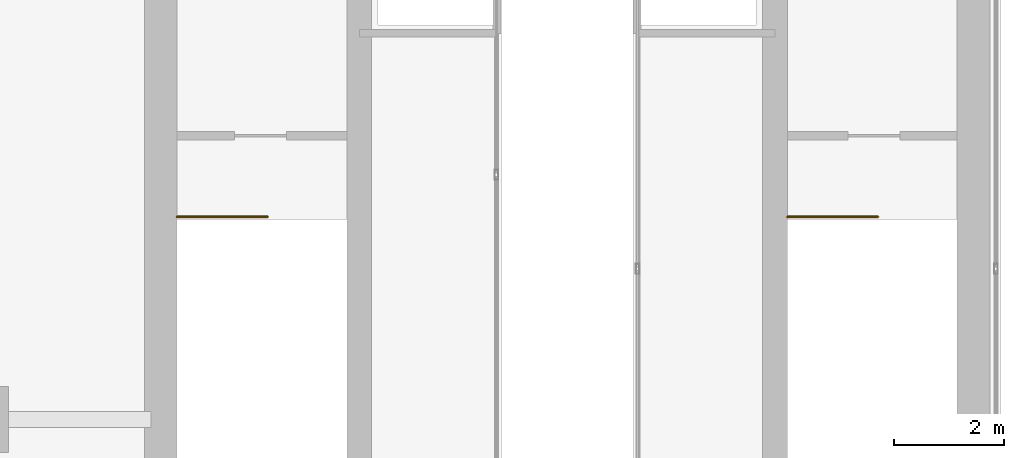
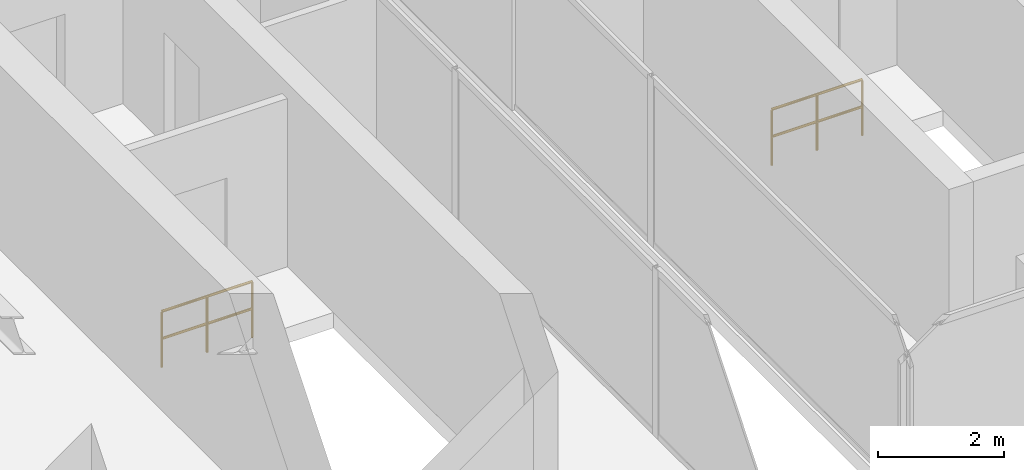
# One storey, part 16 of 16: 2 railings.
"""IFC4 building model written with IfcOpenShell, lengths in metres."""

from ifc_helpers import new_model, si_unit, direction, frame, origin, origin_2d, place, context, subcontext, project, spatial, circle, extrude, material, layer, layer_set, type_object, element, save


model = new_model("IFC4")

# Units and contexts
model_context = context("Model", 3, precision=1e-05, world=origin(), true_north=direction((0.0, 1.0)))
body_context = subcontext(model_context, "Body", "Model", "MODEL_VIEW")
ifc_project = project(units=[si_unit("LENGTHUNIT", "METRE"), si_unit("AREAUNIT", "SQUARE_METRE"), si_unit("VOLUMEUNIT", "CUBIC_METRE"), si_unit("PLANEANGLEUNIT", "RADIAN"), si_unit("MASSUNIT", "GRAM", prefix="KILO")], contexts=[model_context])

# Site, building, storey
site_placement = place(None, origin())
site = spatial("IfcSite", under=ifc_project, at=site_placement, CompositionType="ELEMENT")
building_placement = place(site_placement, origin())
building = spatial("IfcBuilding", under=site, at=building_placement, Name="Krantzveldt Concourse Tower", CompositionType="ELEMENT")
storey_placement = place(building_placement, frame((0.0, 0.0, 385.449951171875)))
storey = spatial("IfcBuildingStorey", under=building, at=storey_placement, Name="L95", CompositionType="ELEMENT", Elevation=385.449951171875)

# Railings
ifc_material = material(Name="Stainless steel 316L", Category="steel")
ifc_layer = layer(ifc_material, 0.06005859375, Name="Stainless steel 316L", Category="steel")
ifc_layer_set = layer_set([ifc_layer], Name="Stainless steel 316L (RL-GUARD-1120)")
railing_type = type_object("IfcRailingType", Name="RL-GUARD-1120", PredefinedType="GUARDRAIL", material=ifc_layer_set)
railing_1_placement = place(storey_placement, frame((28.8798828125, 19.60009765625, 0.0)))
element("IfcRailing", 1, at=railing_1_placement, inside=storey, type_object=railing_type, Name="L95 ST-1 top well guard 1", PredefinedType="GUARDRAIL", context=body_context, shape_type="SweptSolid", body=[
    extrude(circle(Radius=0.02392578125, at=origin_2d()), frame((0.0, 0.0, 1.076171875), z_axis=(1.0, 0.0, 0.0), x_axis=(0.0, 1.0, 0.0)), (0.0, 0.0, 1.0), 1.650146484375),
    extrude(circle(Radius=0.02392578125, at=origin_2d()), frame((0.0, 0.0, 0.550048828125), z_axis=(1.0, 0.0, 0.0), x_axis=(0.0, 1.0, 0.0)), (0.0, 0.0, 1.0), 1.650146484375),
    extrude(circle(Radius=0.02099609375, at=origin_2d()), origin(), (0.0, 0.0, 1.0), 1.052001953125),
    extrude(circle(Radius=0.02099609375, at=origin_2d()), frame((0.8251953125, 0.0, 0.0)), (0.0, 0.0, 1.0), 1.052001953125),
    extrude(circle(Radius=0.02099609375, at=origin_2d()), frame((1.650146484375, 0.0, 0.0)), (0.0, 0.0, 1.0), 1.052001953125),
])
railing_2_placement = place(storey_placement, frame((40.02001953125, 19.60009765625, 0.0)))
element("IfcRailing", 2, at=railing_2_placement, inside=storey, type_object=railing_type, Name="L95 ST-2 top well guard 1", PredefinedType="GUARDRAIL", context=body_context, shape_type="SweptSolid", body=[
    extrude(circle(Radius=0.02392578125, at=origin_2d()), frame((0.0, 0.0, 1.076171875), z_axis=(1.0, 0.0, 0.0), x_axis=(0.0, 1.0, 0.0)), (0.0, 0.0, 1.0), 1.64990234375),
    extrude(circle(Radius=0.02392578125, at=origin_2d()), frame((0.0, 0.0, 0.550048828125), z_axis=(1.0, 0.0, 0.0), x_axis=(0.0, 1.0, 0.0)), (0.0, 0.0, 1.0), 1.64990234375),
    extrude(circle(Radius=0.02099609375, at=origin_2d()), origin(), (0.0, 0.0, 1.0), 1.052001953125),
    extrude(circle(Radius=0.02099609375, at=origin_2d()), frame((0.824951171875, 0.0, 0.0)), (0.0, 0.0, 1.0), 1.052001953125),
    extrude(circle(Radius=0.02099609375, at=origin_2d()), frame((1.64990234375, 0.0, 0.0)), (0.0, 0.0, 1.0), 1.052001953125),
])

save(model, "model.ifc")
